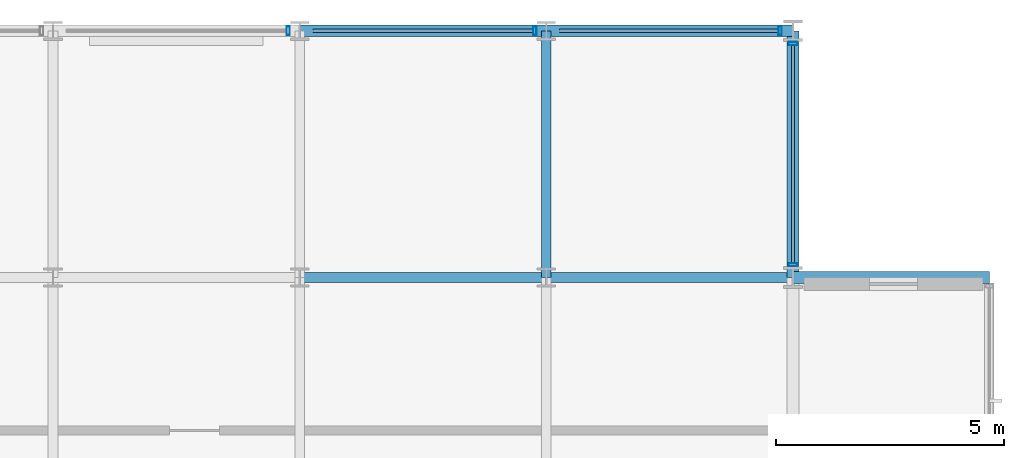
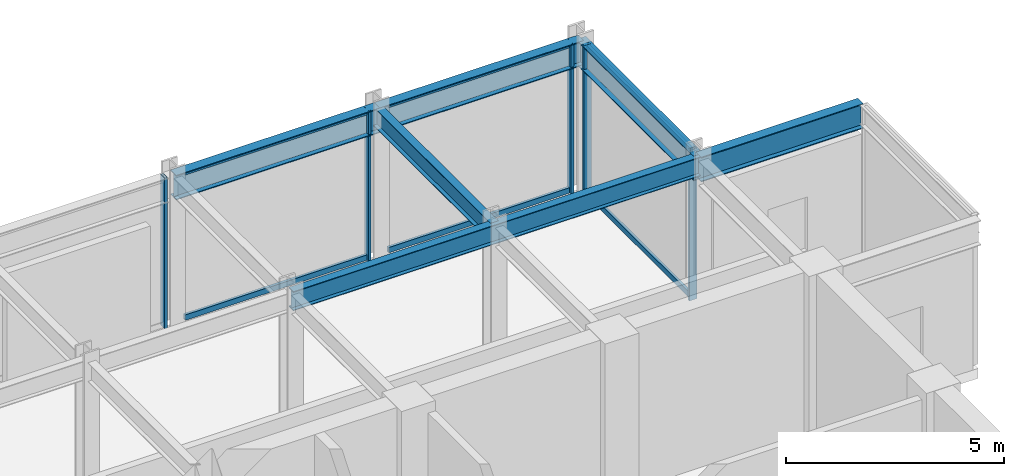
# One storey, part 13 of 22: 11 members, 6 beams, 2 elements without a shape of their own.
"""IFC4 building model written with IfcOpenShell, lengths in metres."""

from ifc_helpers import new_model, si_unit, direction, frame, origin, origin_2d, place, context, subcontext, project, spatial, hollow_rectangle, i_section, extrude, material, layer, layer_set, material_profile, profile_set, type_object, element, aggregate, save


model = new_model("IFC4")

# Units and contexts
model_context = context("Model", 3, precision=1e-05, world=origin(), true_north=direction((0.0, 1.0)))
body_context = subcontext(model_context, "Body", "Model", "MODEL_VIEW")
ifc_project = project(units=[si_unit("LENGTHUNIT", "METRE"), si_unit("AREAUNIT", "SQUARE_METRE"), si_unit("VOLUMEUNIT", "CUBIC_METRE"), si_unit("PLANEANGLEUNIT", "RADIAN"), si_unit("MASSUNIT", "GRAM", prefix="KILO")], contexts=[model_context])

# Site, building, storey
site_placement = place(None, origin())
site = spatial("IfcSite", under=ifc_project, at=site_placement, CompositionType="ELEMENT")
building_placement = place(site_placement, origin())
building = spatial("IfcBuilding", under=site, at=building_placement, Name="Surkhivell Harbour Commons", CompositionType="ELEMENT")
storey_placement = place(building_placement, frame((0.0, 0.0, 342.0)))
storey = spatial("IfcBuildingStorey", under=building, at=storey_placement, Name="L89", CompositionType="ELEMENT", Elevation=342.0)

# Beams
ifc_material_1 = material(Name="Steel S460", Category="steel")
ifc_material_profile_1 = material_profile(ifc_material_1, i_section(OverallWidth=0.256103515625, OverallDepth=0.693115234375, WebThickness=0.014404296875, FlangeThickness=0.023681640625, at=origin_2d()), Name="UB686x254x170")
ifc_profile_set_1 = profile_set([ifc_material_profile_1], Name="Steel S460")
beam_type_1 = type_object("IfcBeamType", Name="BM-CNT-686", PredefinedType="BEAM", material=ifc_profile_set_1)
beam_1_placement = place(storey_placement, frame((10.800048828125, 16.199951171875, 3.87353515625), z_axis=(1.0, 0.0, 0.0), x_axis=(0.0, 1.0, 0.0)))
element("IfcBeam", 1, at=beam_1_placement, inside=storey, type_object=beam_type_1, Name="L89 Box Cantilever Outrigger (10.8,16.2)", PredefinedType="BEAM", context=body_context, shape_type="SweptSolid", body=[
    extrude(i_section(OverallWidth=0.256103515625, OverallDepth=0.693115234375, WebThickness=0.014404296875, FlangeThickness=0.023681640625, at=origin_2d()), origin(), (0.0, 0.0, 1.0), 4.300048828125),
])
ifc_material_2 = material(Name="Steel S355", Category="steel")
ifc_material_profile_2 = material_profile(ifc_material_2, i_section(OverallWidth=0.2099609375, OverallDepth=0.537109375, WebThickness=0.0107421875, FlangeThickness=0.017333984375, at=origin_2d()), Name="UB533x210x101")
ifc_profile_set_2 = profile_set([ifc_material_profile_2], Name="Steel S355")
beam_type_2 = type_object("IfcBeamType", Name="BM-GRD-533B", PredefinedType="BEAM", material=ifc_profile_set_2)
beam_2_placement = place(storey_placement, frame((0.0, 16.199951171875, 3.951416015625), z_axis=(1.0, 0.0, 0.0), x_axis=(0.0, 1.0, 0.0)))
element("IfcBeam", 2, at=beam_2_placement, inside=storey, type_object=beam_type_2, Name="L89 Cantilever Back-Span Girder (0.0,16.2)", PredefinedType="BEAM", context=body_context, shape_type="SweptSolid", body=[
    extrude(i_section(OverallWidth=0.2099609375, OverallDepth=0.537109375, WebThickness=0.0107421875, FlangeThickness=0.017333984375, at=origin_2d()), origin(), (0.0, 0.0, 1.0), 10.800048828125),
])
beam_3_placement = place(storey_placement, frame((5.39990234375, 16.199951171875, 3.951416015625), z_axis=(0.0, 1.0, 0.0), x_axis=(-1.0, 0.0, 0.0)))
element("IfcBeam", 3, at=beam_3_placement, inside=storey, type_object=beam_type_2, Name="L89 Floor Girder (5.4,16.2)", PredefinedType="BEAM", context=body_context, shape_type="SweptSolid", body=[
    extrude(i_section(OverallWidth=0.2099609375, OverallDepth=0.537109375, WebThickness=0.0107421875, FlangeThickness=0.017333984375, at=origin_2d()), origin(), (0.0, 0.0, 1.0), 5.400146484375),
])
ifc_material_profile_3 = material_profile(ifc_material_2, i_section(OverallWidth=0.256103515625, OverallDepth=0.693115234375, WebThickness=0.014404296875, FlangeThickness=0.023681640625, at=origin_2d()), Name="UB686x254x170")
ifc_profile_set_3 = profile_set([ifc_material_profile_3], Name="Steel S355")
beam_type_3 = type_object("IfcBeamType", Name="BM-SPN-686", PredefinedType="SPANDREL", material=ifc_profile_set_3)
beam_4_placement = place(storey_placement, frame((0.0, 21.60009765625, 3.87353515625), z_axis=(1.0, 0.0, 0.0), x_axis=(0.0, 1.0, 0.0)))
element("IfcBeam", 4, at=beam_4_placement, inside=storey, type_object=beam_type_3, Name="L89 Tube Spandrel (0.0,21.6)", PredefinedType="SPANDREL", context=body_context, shape_type="SweptSolid", body=[
    extrude(i_section(OverallWidth=0.256103515625, OverallDepth=0.693115234375, WebThickness=0.014404296875, FlangeThickness=0.023681640625, at=origin_2d()), origin(), (0.0, 0.0, 1.0), 5.39990234375),
])
for number, where, z_axis, x_axis, name in (
    (5, (5.39990234375, 21.60009765625, 3.87353515625), (1.0, 0.0, 0.0), (0.0, 1.0, 0.0), "L89 Tube Spandrel (5.4,21.6)"),
    (6, (10.800048828125, 16.199951171875, 3.87353515625), (0.0, 1.0, 0.0), (-1.0, 0.0, 0.0), "L89 Tube Spandrel (10.8,16.2)"),
):
    element("IfcBeam", number, at=place(storey_placement, frame(where, z_axis=z_axis, x_axis=x_axis)), inside=storey, type_object=beam_type_3, Name=name, PredefinedType="SPANDREL", context=body_context, shape_type="SweptSolid", body=[
        extrude(i_section(OverallWidth=0.256103515625, OverallDepth=0.693115234375, WebThickness=0.014404296875, FlangeThickness=0.023681640625, at=origin_2d()), origin(), (0.0, 0.0, 1.0), 5.400146484375),
    ])

# Curtain wall, members
ifc_material_3 = material(Name="Anodised pale-metal aluminium and insulated glazing", Category="aluminium")
ifc_layer = layer(ifc_material_3, 0.22998046875)
ifc_layer_set = layer_set([ifc_layer], Name="Anodised pale-metal aluminium and insulated glazing")
curtain_wall_type = type_object("IfcCurtainWallType", Name="CW-SYS-CRN", PredefinedType="NOTDEFINED", material=ifc_layer_set)
curtain_wall_1_placement = place(storey_placement, origin())
curtain_wall_1 = element("IfcCurtainWall", 7, at=curtain_wall_1_placement, inside=storey, type_object=curtain_wall_type, Name="L89 Curtain Wall CW-L89-C04S2", PredefinedType="NOTDEFINED")
ifc_material_4 = material(Name="Anodised pale-metal aluminium alloy 6063-T6", Category="aluminium")
ifc_material_profile_4 = material_profile(ifc_material_4, hollow_rectangle(XDim=0.074951171875, YDim=0.18994140625, WallThickness=0.00390625, at=origin_2d()), Name="ALU-MULL-75x190")
ifc_profile_set_4 = profile_set([ifc_material_profile_4], Name="Anodised pale-metal aluminium alloy 6063-T6")
member_type_1 = type_object("IfcMemberType", Name="CWM-190", PredefinedType="MULLION", material=ifc_profile_set_4)
member_1_placement = place(storey_placement, frame((10.800048828125, 16.4794921875, 0.0), z_axis=(0.0, 0.0, 1.0), x_axis=(0.0, 1.0, 0.0)))
member_1 = element("IfcMember", 8, at=member_1_placement, type_object=member_type_1, Name="CW-CRN mullion 1", PredefinedType="MULLION", context=body_context, shape_type="SweptSolid", body=[
    extrude(hollow_rectangle(XDim=0.074951171875, YDim=0.18994140625, WallThickness=0.00390625, at=origin_2d()), origin(), (0.0, 0.0, 1.0), 4.219970703125),
])
member_2_placement = place(storey_placement, frame((10.800048828125, 21.320556640625, 0.0), z_axis=(0.0, 0.0, 1.0), x_axis=(0.0, 1.0, 0.0)))
member_2 = element("IfcMember", 9, at=member_2_placement, type_object=member_type_1, Name="CW-CRN mullion 2", PredefinedType="MULLION", context=body_context, shape_type="SweptSolid", body=[
    extrude(hollow_rectangle(XDim=0.074951171875, YDim=0.18994140625, WallThickness=0.00390625, at=origin_2d()), origin(), (0.0, 0.0, 1.0), 4.219970703125),
])

curtain_wall_2_placement = place(storey_placement, origin())
curtain_wall_2 = element("IfcCurtainWall", 10, at=curtain_wall_2_placement, inside=storey, type_object=curtain_wall_type, Name="L89 Curtain Wall CW-L89-C05", PredefinedType="NOTDEFINED")
member_3_placement = place(storey_placement, frame((10.5205078125, 21.60009765625, 0.0), z_axis=(0.0, 0.0, 1.0), x_axis=(-1.0, 0.0, 0.0)))
member_3 = element("IfcMember", 11, at=member_3_placement, type_object=member_type_1, Name="CW-CRN mullion 1", PredefinedType="MULLION", context=body_context, shape_type="SweptSolid", body=[
    extrude(hollow_rectangle(XDim=0.074951171875, YDim=0.18994140625, WallThickness=0.00390625, at=origin_2d()), origin(), (0.0, 0.0, 1.0), 4.219970703125),
])
member_4_placement = place(storey_placement, frame((5.150390625, 21.60009765625, 0.0), z_axis=(0.0, 0.0, 1.0), x_axis=(-1.0, 0.0, 0.0)))
member_4 = element("IfcMember", 12, at=member_4_placement, type_object=member_type_1, Name="CW-CRN mullion 2", PredefinedType="MULLION", context=body_context, shape_type="SweptSolid", body=[
    extrude(hollow_rectangle(XDim=0.074951171875, YDim=0.18994140625, WallThickness=0.00390625, at=origin_2d()), origin(), (0.0, 0.0, 1.0), 4.219970703125),
])
member_5_placement = place(storey_placement, frame((-0.24951171875, 21.60009765625, 0.0), z_axis=(0.0, 0.0, 1.0), x_axis=(-1.0, 0.0, 0.0)))
member_5 = element("IfcMember", 13, at=member_5_placement, type_object=member_type_1, Name="CW-CRN mullion 3", PredefinedType="MULLION", context=body_context, shape_type="SweptSolid", body=[
    extrude(hollow_rectangle(XDim=0.074951171875, YDim=0.18994140625, WallThickness=0.00390625, at=origin_2d()), origin(), (0.0, 0.0, 1.0), 4.219970703125),
])

# Member
ifc_material_profile_5 = material_profile(ifc_material_4, hollow_rectangle(XDim=0.074951171875, YDim=0.14990234375, WallThickness=0.00341796875, at=origin_2d()), Name="ALU-TRAN-75x150")
ifc_profile_set_5 = profile_set([ifc_material_profile_5], Name="Anodised pale-metal aluminium alloy 6063-T6")
member_type_2 = type_object("IfcMemberType", Name="CWT-150", PredefinedType="USERDEFINED", material=ifc_profile_set_5)
member_6_placement = place(storey_placement, frame((10.800048828125, 16.51708984375, 0.074951171875), z_axis=(0.0, 1.0, 0.0), x_axis=(-1.0, 0.0, 0.0)))
member_6 = element("IfcMember", 14, at=member_6_placement, type_object=member_type_2, Name="CW-CRN transom 1.1", ObjectType="TRANSOM", PredefinedType="USERDEFINED", context=body_context, shape_type="SweptSolid", body=[
    extrude(hollow_rectangle(XDim=0.074951171875, YDim=0.14990234375, WallThickness=0.00341796875, at=origin_2d()), origin(), (0.0, 0.0, 1.0), 4.765869140625),
])

member_7_placement = place(storey_placement, frame((10.800048828125, 16.51708984375, 4.14501953125), z_axis=(0.0, 1.0, 0.0), x_axis=(-1.0, 0.0, 0.0)))
member_7 = element("IfcMember", 15, at=member_7_placement, type_object=member_type_2, Name="CW-CRN transom 1.2", ObjectType="TRANSOM", PredefinedType="USERDEFINED", context=body_context, shape_type="SweptSolid", body=[
    extrude(hollow_rectangle(XDim=0.074951171875, YDim=0.14990234375, WallThickness=0.00341796875, at=origin_2d()), origin(), (0.0, 0.0, 1.0), 4.765869140625),
])

aggregate(curtain_wall_1, [member_1, member_2, member_6, member_7])

member_8_placement = place(storey_placement, frame((10.48291015625, 21.60009765625, 0.074951171875), z_axis=(-1.0, 0.0, 0.0), x_axis=(0.0, -1.0, 0.0)))
member_8 = element("IfcMember", 16, at=member_8_placement, type_object=member_type_2, Name="CW-CRN transom 1.1", ObjectType="TRANSOM", PredefinedType="USERDEFINED", context=body_context, shape_type="SweptSolid", body=[
    extrude(hollow_rectangle(XDim=0.074951171875, YDim=0.14990234375, WallThickness=0.00341796875, at=origin_2d()), origin(), (0.0, 0.0, 1.0), 4.7958984375),
])

member_9_placement = place(storey_placement, frame((10.48291015625, 21.60009765625, 4.14501953125), z_axis=(-1.0, 0.0, 0.0), x_axis=(0.0, -1.0, 0.0)))
member_9 = element("IfcMember", 17, at=member_9_placement, type_object=member_type_2, Name="CW-CRN transom 1.2", ObjectType="TRANSOM", PredefinedType="USERDEFINED", context=body_context, shape_type="SweptSolid", body=[
    extrude(hollow_rectangle(XDim=0.074951171875, YDim=0.14990234375, WallThickness=0.00341796875, at=origin_2d()), origin(), (0.0, 0.0, 1.0), 4.7958984375),
])

member_10_placement = place(storey_placement, frame((5.113037109375, 21.60009765625, 0.074951171875), z_axis=(-1.0, 0.0, 0.0), x_axis=(0.0, -1.0, 0.0)))
member_10 = element("IfcMember", 18, at=member_10_placement, type_object=member_type_2, Name="CW-CRN transom 2.1", ObjectType="TRANSOM", PredefinedType="USERDEFINED", context=body_context, shape_type="SweptSolid", body=[
    extrude(hollow_rectangle(XDim=0.074951171875, YDim=0.14990234375, WallThickness=0.00341796875, at=origin_2d()), origin(), (0.0, 0.0, 1.0), 4.825927734375),
])

member_11_placement = place(storey_placement, frame((5.113037109375, 21.60009765625, 4.14501953125), z_axis=(-1.0, 0.0, 0.0), x_axis=(0.0, -1.0, 0.0)))
member_11 = element("IfcMember", 19, at=member_11_placement, type_object=member_type_2, Name="CW-CRN transom 2.2", ObjectType="TRANSOM", PredefinedType="USERDEFINED", context=body_context, shape_type="SweptSolid", body=[
    extrude(hollow_rectangle(XDim=0.074951171875, YDim=0.14990234375, WallThickness=0.00341796875, at=origin_2d()), origin(), (0.0, 0.0, 1.0), 4.825927734375),
])

aggregate(curtain_wall_2, [member_3, member_8, member_9, member_4, member_10, member_11, member_5])

save(model, "model.ifc")
